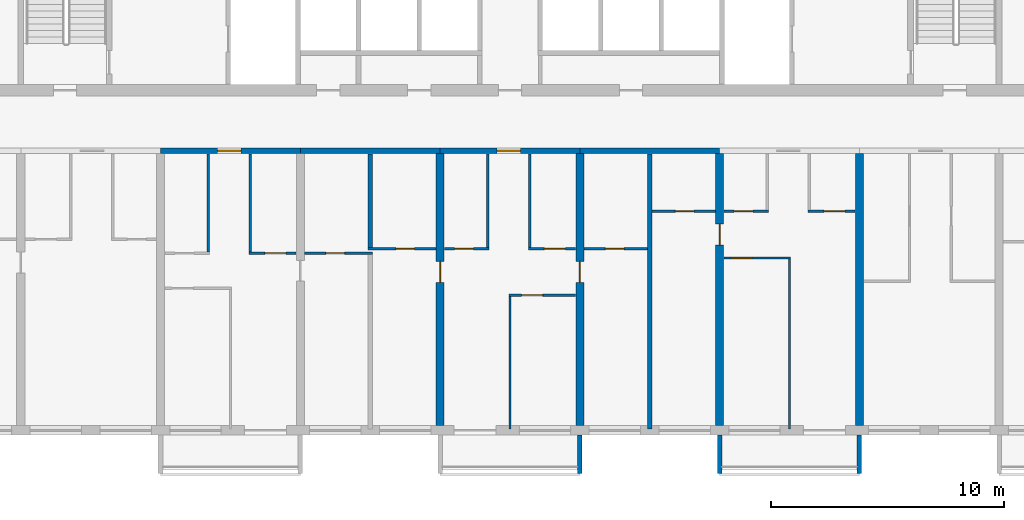
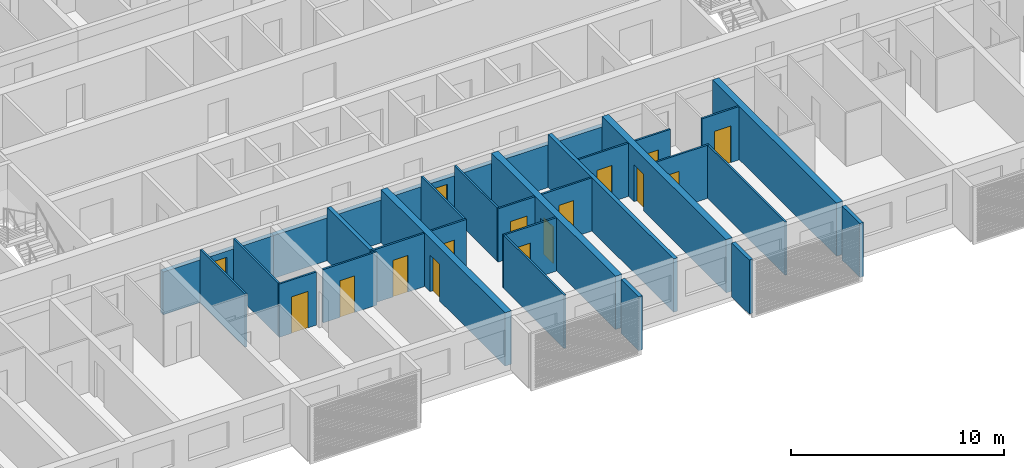
# One storey, part 5 of 27: 30 walls, 16 doors, 16 openings.
"""IFC4 building model written with IfcOpenShell, lengths in metres."""

from ifc_helpers import new_model, si_unit, direction, frame, frame_2d, origin, place, context, subcontext, project, spatial, polyline, rectangle, outline, extrude, source, transform, mapped, material, layer, layer_set, type_object, element, fill, save


model = new_model("IFC4")

# Units and contexts
model_context = context("Model", 3, precision=1e-05, world=origin(), true_north=direction((0.0, 1.0)))
body_context = subcontext(model_context, "Body", "Model", "MODEL_VIEW")
ifc_project = project(units=[si_unit("LENGTHUNIT", "METRE"), si_unit("AREAUNIT", "SQUARE_METRE"), si_unit("VOLUMEUNIT", "CUBIC_METRE"), si_unit("PLANEANGLEUNIT", "RADIAN"), si_unit("MASSUNIT", "GRAM", prefix="KILO")], contexts=[model_context])

# Site, building, storey
site_placement = place(None, origin())
site = spatial("IfcSite", under=ifc_project, at=site_placement, CompositionType="ELEMENT")
building_placement = place(site_placement, origin())
building = spatial("IfcBuilding", under=site, at=building_placement, Name="Poui Terraces", CompositionType="ELEMENT")
storey_placement = place(building_placement, frame((0.0, 0.0, 92.699951171875)))
storey = spatial("IfcBuildingStorey", under=building, at=storey_placement, Name="L25", CompositionType="ELEMENT", Elevation=92.699951171875)

# Wall, opening, door
ifc_material_1 = material(Name="Concrete 65 MPa", Category="concrete")
ifc_layer_1 = layer(ifc_material_1, 0.25)
ifc_layer_set_1 = layer_set([ifc_layer_1], Name="Concrete 65 MPa")
wall_type_1 = type_object("IfcWallType", Name="CORRIDOR WALL 250 65MPa", PredefinedType="SHEAR", material=ifc_layer_set_1)
wall_1_placement = place(storey_placement, frame((36.0, 12.0, 0.0), z_axis=(0.0, 0.0, 1.0), x_axis=(1.0, 0.0, 0.0)))
wall_1 = element("IfcWall", 1, at=wall_1_placement, inside=storey, type_object=wall_type_1, Name="CORRIDOR WALL LINE B BAY 6", PredefinedType="SHEAR", context=body_context, shape_type="SweptSolid", body=[
    extrude(rectangle(XDim=6.0, YDim=0.25, at=frame_2d((3.0, 0.0))), origin(), (0.0, 0.0, 1.0), 2.4599609375),
])
opening_1_placement = place(wall_1_placement, frame((2.449951171875, 0.0, 0.0)))
opening_1 = element("IfcOpeningElement", 2, at=opening_1_placement, cuts=wall_1, Name="Opening FD30S", PredefinedType="OPENING", context=body_context, shape_type="SweptSolid", body=[
    extrude(rectangle(XDim=1.0, YDim=2.10009765625, at=frame_2d((0.5, 1.050048828125))), frame((0.0, 0.135009765625, 0.0), z_axis=(0.0, -1.0, 0.0), x_axis=(1.0, 0.0, 0.0)), (0.0, 0.0, 1.0), 0.27001953125),
])
ifc_material_2 = material(Name="Steel fire door", Category="steel")
door_type_1 = type_object("IfcDoorType", Name="FLAT ENTRANCE DOOR 1000 X 2100", OperationType="NOTDEFINED", PredefinedType="DOOR", material=ifc_material_2)
door_1_placement = place(opening_1_placement, frame((1.0, 0.0, 0.0), z_axis=(0.0, 0.0, 1.0), x_axis=(-1.0, 0.0, 0.0)))
door_1 = element("IfcDoor", 3, at=door_1_placement, inside=storey, type_object=door_type_1, Name="FLAT ENTRANCE DOOR 101", OperationType="SINGLE_SWING_RIGHT", OverallHeight=2.10009765625, OverallWidth=1.0, PredefinedType="DOOR", context=body_context, shape_type="SweptSolid", body=[
    extrude(rectangle(XDim=1.0, YDim=2.10009765625, at=frame_2d((0.5, 1.050048828125))), frame((0.0, 0.02490234375, 0.0), z_axis=(0.0, -1.0, 0.0), x_axis=(1.0, 0.0, 0.0)), (0.0, 0.0, 1.0), 0.050048828125),
])
fill(opening_1, door_1)

# Wall
wall_2_placement = place(storey_placement, frame((42.0, 12.0, 0.0), z_axis=(0.0, 0.0, 1.0), x_axis=(1.0, 0.0, 0.0)))
element("IfcWall", 4, at=wall_2_placement, inside=storey, type_object=wall_type_1, Name="CORRIDOR WALL LINE B BAY 7", PredefinedType="SHEAR", context=body_context, shape_type="SweptSolid", body=[
    extrude(rectangle(XDim=6.0, YDim=0.25, at=frame_2d((3.0, 0.0))), origin(), (0.0, 0.0, 1.0), 2.4599609375),
])

# Wall, opening, door
wall_3_placement = place(storey_placement, frame((48.0, 12.0, 0.0), z_axis=(0.0, 0.0, 1.0), x_axis=(1.0, 0.0, 0.0)))
wall_3 = element("IfcWall", 5, at=wall_3_placement, inside=storey, type_object=wall_type_1, Name="CORRIDOR WALL LINE B BAY 8", PredefinedType="SHEAR", context=body_context, shape_type="SweptSolid", body=[
    extrude(rectangle(XDim=6.0, YDim=0.25, at=frame_2d((3.0, 0.0))), origin(), (0.0, 0.0, 1.0), 2.4599609375),
])
opening_2_placement = place(wall_3_placement, frame((2.449951171875, 0.0, 0.0)))
opening_2 = element("IfcOpeningElement", 6, at=opening_2_placement, cuts=wall_3, Name="Opening FD30S", PredefinedType="OPENING", context=body_context, shape_type="SweptSolid", body=[
    extrude(rectangle(XDim=1.0, YDim=2.10009765625, at=frame_2d((0.5, 1.050048828125))), frame((0.0, 0.135009765625, 0.0), z_axis=(0.0, -1.0, 0.0), x_axis=(1.0, 0.0, 0.0)), (0.0, 0.0, 1.0), 0.27001953125),
])
door_2_placement = place(opening_2_placement, frame((1.0, 0.0, 0.0), z_axis=(0.0, 0.0, 1.0), x_axis=(-1.0, 0.0, 0.0)))
door_2 = element("IfcDoor", 7, at=door_2_placement, inside=storey, type_object=door_type_1, Name="FLAT ENTRANCE DOOR 108", OperationType="SINGLE_SWING_RIGHT", OverallHeight=2.10009765625, OverallWidth=1.0, PredefinedType="DOOR", context=body_context, shape_type="SweptSolid", body=[
    extrude(rectangle(XDim=1.0, YDim=2.10009765625, at=frame_2d((0.5, 1.050048828125))), frame((0.0, 0.02490234375, 0.0), z_axis=(0.0, -1.0, 0.0), x_axis=(1.0, 0.0, 0.0)), (0.0, 0.0, 1.0), 0.050048828125),
])
fill(opening_2, door_2)

# Wall
wall_4_placement = place(storey_placement, frame((54.0, 12.0, 0.0), z_axis=(0.0, 0.0, 1.0), x_axis=(1.0, 0.0, 0.0)))
element("IfcWall", 8, at=wall_4_placement, inside=storey, type_object=wall_type_1, Name="CORRIDOR WALL LINE B BAY 9", PredefinedType="SHEAR", context=body_context, shape_type="SweptSolid", body=[
    extrude(rectangle(XDim=6.0, YDim=0.25, at=frame_2d((3.0, 0.0))), origin(), (0.0, 0.0, 1.0), 2.4599609375),
])

# Wall, opening, door
ifc_layer_2 = layer(ifc_material_1, 0.35009765625)
ifc_layer_set_2 = layer_set([ifc_layer_2], Name="Concrete 65 MPa")
wall_type_2 = type_object("IfcWallType", Name="CROSS WALL 350 65MPa", PredefinedType="SHEAR", material=ifc_layer_set_2)
wall_5_placement = place(storey_placement, frame((48.0, 0.199951171875, 0.0), z_axis=(0.0, 0.0, 1.0), x_axis=(0.0, 1.0, 0.0)))
wall_5 = element("IfcWall", 9, at=wall_5_placement, inside=storey, type_object=wall_type_2, Name="CROSS WALL LINE 9 SOUTH", PredefinedType="SHEAR", context=body_context, shape_type="SweptSolid", body=[
    extrude(rectangle(XDim=11.675048828125, YDim=0.35009765625, at=frame_2d((5.83740234375, 0.0))), origin(), (0.0, 0.0, 1.0), 3.06005859375),
])
opening_3_placement = place(wall_5_placement, frame((6.14990234375, 0.0, 0.0)))
opening_3 = element("IfcOpeningElement", 10, at=opening_3_placement, cuts=wall_5, Name="Opening D90", PredefinedType="OPENING", context=body_context, shape_type="SweptSolid", body=[
    extrude(rectangle(XDim=0.89990234375, YDim=2.10009765625, at=frame_2d((0.449951171875, 1.050048828125))), frame((0.0, 0.18505859375, 0.0), z_axis=(0.0, -1.0, 0.0), x_axis=(1.0, 0.0, 0.0)), (0.0, 0.0, 1.0), 0.3701171875),
])
ifc_material_3 = material(Name="Solid core timber door", Category="wood")
door_type_2 = type_object("IfcDoorType", Name="INTERNAL DOOR 900 X 2100", OperationType="NOTDEFINED", PredefinedType="DOOR", material=ifc_material_3)
door_3_placement = place(opening_3_placement, origin())
door_3 = element("IfcDoor", 11, at=door_3_placement, inside=storey, type_object=door_type_2, Name="INTERNAL DOOR 106", OperationType="SINGLE_SWING_RIGHT", OverallHeight=2.10009765625, OverallWidth=0.89990234375, PredefinedType="DOOR", context=body_context, shape_type="SweptSolid", body=[
    extrude(rectangle(XDim=0.89990234375, YDim=2.10009765625, at=frame_2d((0.449951171875, 1.050048828125))), frame((0.0, 0.02490234375, 0.0), z_axis=(0.0, -1.0, 0.0), x_axis=(1.0, 0.0, 0.0)), (0.0, 0.0, 1.0), 0.050048828125),
])
fill(opening_3, door_3)

wall_6_placement = place(storey_placement, frame((54.0, 0.199951171875, 0.0), z_axis=(0.0, 0.0, 1.0), x_axis=(0.0, 1.0, 0.0)))
wall_6 = element("IfcWall", 12, at=wall_6_placement, inside=storey, type_object=wall_type_2, Name="CROSS WALL LINE 10 SOUTH", PredefinedType="SHEAR", context=body_context, shape_type="SweptSolid", body=[
    extrude(rectangle(XDim=11.675048828125, YDim=0.35009765625, at=frame_2d((5.83740234375, 0.0))), origin(), (0.0, 0.0, 1.0), 3.06005859375),
])
opening_4_placement = place(wall_6_placement, frame((6.14990234375, 0.0, 0.0)))
opening_4 = element("IfcOpeningElement", 13, at=opening_4_placement, cuts=wall_6, Name="Opening D90", PredefinedType="OPENING", context=body_context, shape_type="SweptSolid", body=[
    extrude(rectangle(XDim=0.89990234375, YDim=2.10009765625, at=frame_2d((0.449951171875, 1.050048828125))), frame((0.0, 0.18505859375, 0.0), z_axis=(0.0, -1.0, 0.0), x_axis=(1.0, 0.0, 0.0)), (0.0, 0.0, 1.0), 0.3701171875),
])
door_4_placement = place(opening_4_placement, frame((0.89990234375, 0.0, 0.0), z_axis=(0.0, 0.0, 1.0), x_axis=(-1.0, 0.0, 0.0)))
door_4 = element("IfcDoor", 14, at=door_4_placement, inside=storey, type_object=door_type_2, Name="INTERNAL DOOR 111", OperationType="SINGLE_SWING_LEFT", OverallHeight=2.10009765625, OverallWidth=0.89990234375, PredefinedType="DOOR", context=body_context, shape_type="SweptSolid", body=[
    extrude(rectangle(XDim=0.89990234375, YDim=2.10009765625, at=frame_2d((0.449951171875, 1.050048828125))), frame((0.0, 0.02490234375, 0.0), z_axis=(0.0, -1.0, 0.0), x_axis=(1.0, 0.0, 0.0)), (0.0, 0.0, 1.0), 0.050048828125),
])
fill(opening_4, door_4)

wall_7_placement = place(storey_placement, frame((60.0, 0.199951171875, 0.0), z_axis=(0.0, 0.0, 1.0), x_axis=(0.0, 1.0, 0.0)))
wall_7 = element("IfcWall", 15, at=wall_7_placement, inside=storey, type_object=wall_type_2, Name="CROSS WALL LINE 11 SOUTH", PredefinedType="SHEAR", context=body_context, shape_type="SweptSolid", body=[
    extrude(rectangle(XDim=11.675048828125, YDim=0.35009765625, at=frame_2d((5.83740234375, 0.0))), origin(), (0.0, 0.0, 1.0), 3.06005859375),
])
opening_5_placement = place(wall_7_placement, frame((7.75, 0.0, 0.0)))
opening_5 = element("IfcOpeningElement", 16, at=opening_5_placement, cuts=wall_7, Name="Opening D90", PredefinedType="OPENING", context=body_context, shape_type="SweptSolid", body=[
    extrude(rectangle(XDim=0.89990234375, YDim=2.10009765625, at=frame_2d((0.449951171875, 1.050048828125))), frame((0.0, 0.18505859375, 0.0), z_axis=(0.0, -1.0, 0.0), x_axis=(1.0, 0.0, 0.0)), (0.0, 0.0, 1.0), 0.3701171875),
])
door_5_placement = place(opening_5_placement, origin())
door_5 = element("IfcDoor", 17, at=door_5_placement, inside=storey, type_object=door_type_2, Name="INTERNAL DOOR 113", OperationType="SINGLE_SWING_RIGHT", OverallHeight=2.10009765625, OverallWidth=0.89990234375, PredefinedType="DOOR", context=body_context, shape_type="SweptSolid", body=[
    extrude(rectangle(XDim=0.89990234375, YDim=2.10009765625, at=frame_2d((0.449951171875, 1.050048828125))), frame((0.0, 0.02490234375, 0.0), z_axis=(0.0, -1.0, 0.0), x_axis=(1.0, 0.0, 0.0)), (0.0, 0.0, 1.0), 0.050048828125),
])
fill(opening_5, door_5)

# Wall
wall_8_placement = place(storey_placement, frame((66.0, 0.199951171875, 0.0), z_axis=(0.0, 0.0, 1.0), x_axis=(0.0, 1.0, 0.0)))
element("IfcWall", 18, at=wall_8_placement, inside=storey, type_object=wall_type_2, Name="CROSS WALL LINE 12 SOUTH", PredefinedType="SHEAR", context=body_context, shape_type="SweptSolid", body=[
    extrude(rectangle(XDim=11.675048828125, YDim=0.35009765625, at=frame_2d((5.83740234375, 0.0))), origin(), (0.0, 0.0, 1.0), 3.06005859375),
])

# Wall, opening, door
ifc_material_4 = material(Name="Plasterboard partition")
ifc_layer_3 = layer(ifc_material_4, 0.10009765625)
ifc_layer_set_3 = layer_set([ifc_layer_3], Name="Plasterboard partition")
wall_type_3 = type_object("IfcWallType", Name="FLAT PARTITION 100", PredefinedType="PARTITIONING", material=ifc_layer_set_3)
wall_9_placement = place(storey_placement, frame((50.949951171875, 5.800048828125, 0.0), z_axis=(0.0, 0.0, 1.0), x_axis=(1.0, 0.0, 0.0)))
wall_9 = element("IfcWall", 19, at=wall_9_placement, inside=storey, type_object=wall_type_3, Name="FLAT PARTITION 100", PredefinedType="PARTITIONING", context=body_context, shape_type="SweptSolid", body=[
    extrude(rectangle(XDim=2.864990234375, YDim=0.10009765625, at=frame_2d((1.4326171875, 0.0))), origin(), (0.0, 0.0, 1.0), 3.06005859375),
])
opening_6_placement = place(wall_9_placement, frame((0.550048828125, 0.0, 0.0)))
opening_6 = element("IfcOpeningElement", 20, at=opening_6_placement, cuts=wall_9, Name="Opening D90", PredefinedType="OPENING", context=body_context, shape_type="SweptSolid", body=[
    extrude(rectangle(XDim=0.89990234375, YDim=2.10009765625, at=frame_2d((0.449951171875, 1.050048828125))), frame((0.0, 0.06005859375, 0.0), z_axis=(0.0, -1.0, 0.0), x_axis=(1.0, 0.0, 0.0)), (0.0, 0.0, 1.0), 0.1201171875),
])
door_6_placement = place(opening_6_placement, origin())
door_6 = element("IfcDoor", 21, at=door_6_placement, inside=storey, type_object=door_type_2, Name="INTERNAL DOOR 109", OperationType="SINGLE_SWING_RIGHT", OverallHeight=2.10009765625, OverallWidth=0.89990234375, PredefinedType="DOOR", context=body_context, shape_type="SweptSolid", body=[
    extrude(rectangle(XDim=0.89990234375, YDim=2.10009765625, at=frame_2d((0.449951171875, 1.050048828125))), frame((0.0, 0.02490234375, 0.0), z_axis=(0.0, -1.0, 0.0), x_axis=(1.0, 0.0, 0.0)), (0.0, 0.0, 1.0), 0.050048828125),
])
fill(opening_6, door_6)

wall_10_placement = place(storey_placement, frame((60.18505859375, 7.39990234375, 0.0), z_axis=(0.0, 0.0, 1.0), x_axis=(1.0, 0.0, 0.0)))
wall_10 = element("IfcWall", 22, at=wall_10_placement, inside=storey, type_object=wall_type_3, Name="FLAT PARTITION 100", PredefinedType="PARTITIONING", context=body_context, shape_type="SweptSolid", body=[
    extrude(rectangle(XDim=2.864990234375, YDim=0.10009765625, at=frame_2d((1.4326171875, 0.0))), origin(), (0.0, 0.0, 1.0), 3.06005859375),
])
opening_7_placement = place(wall_10_placement, frame((0.31494140625, 0.0, 0.0)))
opening_7 = element("IfcOpeningElement", 23, at=opening_7_placement, cuts=wall_10, Name="Opening D90", PredefinedType="OPENING", context=body_context, shape_type="SweptSolid", body=[
    extrude(rectangle(XDim=0.89990234375, YDim=2.10009765625, at=frame_2d((0.449951171875, 1.050048828125))), frame((0.0, 0.06005859375, 0.0), z_axis=(0.0, -1.0, 0.0), x_axis=(1.0, 0.0, 0.0)), (0.0, 0.0, 1.0), 0.1201171875),
])
door_7_placement = place(opening_7_placement, origin())
door_7 = element("IfcDoor", 24, at=door_7_placement, inside=storey, type_object=door_type_2, Name="INTERNAL DOOR 114", OperationType="SINGLE_SWING_RIGHT", OverallHeight=2.10009765625, OverallWidth=0.89990234375, PredefinedType="DOOR", context=body_context, shape_type="SweptSolid", body=[
    extrude(rectangle(XDim=0.89990234375, YDim=2.10009765625, at=frame_2d((0.449951171875, 1.050048828125))), frame((0.0, 0.02490234375, 0.0), z_axis=(0.0, -1.0, 0.0), x_axis=(1.0, 0.0, 0.0)), (0.0, 0.0, 1.0), 0.050048828125),
])
fill(opening_7, door_7)

wall_11_placement = place(storey_placement, frame((39.800048828125, 7.60009765625, 0.0), z_axis=(0.0, 0.0, 1.0), x_axis=(1.0, 0.0, 0.0)))
wall_11 = element("IfcWall", 25, at=wall_11_placement, inside=storey, type_object=wall_type_3, Name="FLAT PARTITION 100", PredefinedType="PARTITIONING", context=body_context, shape_type="SweptSolid", body=[
    extrude(rectangle(XDim=2.014892578125, YDim=0.10009765625, at=frame_2d((1.00732421875, 0.0))), origin(), (0.0, 0.0, 1.0), 3.06005859375),
])
opening_8_placement = place(wall_11_placement, frame((0.675048828125, 0.0, 0.0)))
opening_8 = element("IfcOpeningElement", 26, at=opening_8_placement, cuts=wall_11, Name="Opening D90", PredefinedType="OPENING", context=body_context, shape_type="SweptSolid", body=[
    extrude(rectangle(XDim=0.89990234375, YDim=2.10009765625, at=frame_2d((0.449951171875, 1.050048828125))), frame((0.0, 0.06005859375, 0.0), z_axis=(0.0, -1.0, 0.0), x_axis=(1.0, 0.0, 0.0)), (0.0, 0.0, 1.0), 0.1201171875),
])
door_8_placement = place(opening_8_placement, origin())
door_8 = element("IfcDoor", 27, at=door_8_placement, inside=storey, type_object=door_type_2, Name="INTERNAL DOOR 102", OperationType="SINGLE_SWING_RIGHT", OverallHeight=2.10009765625, OverallWidth=0.89990234375, PredefinedType="DOOR", context=body_context, shape_type="SweptSolid", body=[
    extrude(rectangle(XDim=0.89990234375, YDim=2.10009765625, at=frame_2d((0.449951171875, 1.050048828125))), frame((0.0, 0.02490234375, 0.0), z_axis=(0.0, -1.0, 0.0), x_axis=(1.0, 0.0, 0.0)), (0.0, 0.0, 1.0), 0.050048828125),
])
fill(opening_8, door_8)

wall_12_placement = place(storey_placement, frame((42.18505859375, 7.60009765625, 0.0), z_axis=(0.0, 0.0, 1.0), x_axis=(1.0, 0.0, 0.0)))
wall_12 = element("IfcWall", 28, at=wall_12_placement, inside=storey, type_object=wall_type_3, Name="FLAT PARTITION 100", PredefinedType="PARTITIONING", context=body_context, shape_type="SweptSolid", body=[
    extrude(rectangle(XDim=2.9150390625, YDim=0.10009765625, at=frame_2d((1.45751953125, 0.0))), origin(), (0.0, 0.0, 1.0), 3.06005859375),
])
opening_9_placement = place(wall_12_placement, frame((0.9150390625, 0.0, 0.0)))
opening_9 = element("IfcOpeningElement", 29, at=opening_9_placement, cuts=wall_12, Name="Opening D80", PredefinedType="OPENING", context=body_context, shape_type="SweptSolid", body=[
    extrude(rectangle(XDim=0.800048828125, YDim=2.10009765625, at=frame_2d((0.39990234375, 1.050048828125))), frame((0.0, 0.06005859375, 0.0), z_axis=(0.0, -1.0, 0.0), x_axis=(1.0, 0.0, 0.0)), (0.0, 0.0, 1.0), 0.1201171875),
])
door_type_3 = type_object("IfcDoorType", Name="BATHROOM, LAUNDRY AND STORE DOOR 800 X 2100", OperationType="NOTDEFINED", PredefinedType="DOOR", material=ifc_material_3)
door_9_placement = place(opening_9_placement, origin())
door_9 = element("IfcDoor", 30, at=door_9_placement, inside=storey, type_object=door_type_3, Name="BATHROOM, LAUNDRY AND STORE DOOR 098", OperationType="SINGLE_SWING_LEFT", OverallHeight=2.10009765625, OverallWidth=0.800048828125, PredefinedType="DOOR", context=body_context, shape_type="SweptSolid", body=[
    extrude(rectangle(XDim=0.800048828125, YDim=2.10009765625, at=frame_2d((0.39990234375, 1.050048828125))), frame((0.0, 0.02490234375, 0.0), z_axis=(0.0, -1.0, 0.0), x_axis=(1.0, 0.0, 0.0)), (0.0, 0.0, 1.0), 0.050048828125),
])
fill(opening_9, door_9)

wall_13_placement = place(storey_placement, frame((44.89990234375, 7.800048828125, 0.0), z_axis=(0.0, 0.0, 1.0), x_axis=(1.0, 0.0, 0.0)))
wall_13 = element("IfcWall", 31, at=wall_13_placement, inside=storey, type_object=wall_type_3, Name="FLAT PARTITION 100", PredefinedType="PARTITIONING", context=body_context, shape_type="SweptSolid", body=[
    extrude(rectangle(XDim=2.9150390625, YDim=0.10009765625, at=frame_2d((1.45751953125, 0.0))), origin(), (0.0, 0.0, 1.0), 3.06005859375),
])
opening_10_placement = place(wall_13_placement, frame((1.199951171875, 0.0, 0.0)))
opening_10 = element("IfcOpeningElement", 32, at=opening_10_placement, cuts=wall_13, Name="Opening D80", PredefinedType="OPENING", context=body_context, shape_type="SweptSolid", body=[
    extrude(rectangle(XDim=0.800048828125, YDim=2.10009765625, at=frame_2d((0.39990234375, 1.050048828125))), frame((0.0, 0.06005859375, 0.0), z_axis=(0.0, -1.0, 0.0), x_axis=(1.0, 0.0, 0.0)), (0.0, 0.0, 1.0), 0.1201171875),
])
door_10_placement = place(opening_10_placement, origin())
door_10 = element("IfcDoor", 33, at=door_10_placement, inside=storey, type_object=door_type_3, Name="BATHROOM, LAUNDRY AND STORE DOOR 104", OperationType="SINGLE_SWING_RIGHT", OverallHeight=2.10009765625, OverallWidth=0.800048828125, PredefinedType="DOOR", context=body_context, shape_type="SweptSolid", body=[
    extrude(rectangle(XDim=0.800048828125, YDim=2.10009765625, at=frame_2d((0.39990234375, 1.050048828125))), frame((0.0, 0.02490234375, 0.0), z_axis=(0.0, -1.0, 0.0), x_axis=(1.0, 0.0, 0.0)), (0.0, 0.0, 1.0), 0.050048828125),
])
fill(opening_10, door_10)

wall_14_placement = place(storey_placement, frame((48.18505859375, 7.800048828125, 0.0), z_axis=(0.0, 0.0, 1.0), x_axis=(1.0, 0.0, 0.0)))
wall_14 = element("IfcWall", 34, at=wall_14_placement, inside=storey, type_object=wall_type_3, Name="FLAT PARTITION 100", PredefinedType="PARTITIONING", context=body_context, shape_type="SweptSolid", body=[
    extrude(rectangle(XDim=1.9150390625, YDim=0.10009765625, at=frame_2d((0.95751953125, 0.0))), origin(), (0.0, 0.0, 1.0), 3.06005859375),
])
opening_11_placement = place(wall_14_placement, frame((0.43994140625, 0.0, 0.0)))
opening_11 = element("IfcOpeningElement", 35, at=opening_11_placement, cuts=wall_14, Name="Opening D80", PredefinedType="OPENING", context=body_context, shape_type="SweptSolid", body=[
    extrude(rectangle(XDim=0.800048828125, YDim=2.10009765625, at=frame_2d((0.39990234375, 1.050048828125))), frame((0.0, 0.06005859375, 0.0), z_axis=(0.0, -1.0, 0.0), x_axis=(1.0, 0.0, 0.0)), (0.0, 0.0, 1.0), 0.1201171875),
])
door_11_placement = place(opening_11_placement, origin())
door_11 = element("IfcDoor", 36, at=door_11_placement, inside=storey, type_object=door_type_3, Name="BATHROOM, LAUNDRY AND STORE DOOR 107", OperationType="SINGLE_SWING_RIGHT", OverallHeight=2.10009765625, OverallWidth=0.800048828125, PredefinedType="DOOR", context=body_context, shape_type="SweptSolid", body=[
    extrude(rectangle(XDim=0.800048828125, YDim=2.10009765625, at=frame_2d((0.39990234375, 1.050048828125))), frame((0.0, 0.02490234375, 0.0), z_axis=(0.0, -1.0, 0.0), x_axis=(1.0, 0.0, 0.0)), (0.0, 0.0, 1.0), 0.050048828125),
])
fill(opening_11, door_11)

wall_15_placement = place(storey_placement, frame((51.800048828125, 7.800048828125, 0.0), z_axis=(0.0, 0.0, 1.0), x_axis=(1.0, 0.0, 0.0)))
wall_15 = element("IfcWall", 37, at=wall_15_placement, inside=storey, type_object=wall_type_3, Name="FLAT PARTITION 100", PredefinedType="PARTITIONING", context=body_context, shape_type="SweptSolid", body=[
    extrude(rectangle(XDim=2.014892578125, YDim=0.10009765625, at=frame_2d((1.00732421875, 0.0))), origin(), (0.0, 0.0, 1.0), 3.06005859375),
])
opening_12_placement = place(wall_15_placement, frame((0.675048828125, 0.0, 0.0)))
opening_12 = element("IfcOpeningElement", 38, at=opening_12_placement, cuts=wall_15, Name="Opening D90", PredefinedType="OPENING", context=body_context, shape_type="SweptSolid", body=[
    extrude(rectangle(XDim=0.89990234375, YDim=2.10009765625, at=frame_2d((0.449951171875, 1.050048828125))), frame((0.0, 0.06005859375, 0.0), z_axis=(0.0, -1.0, 0.0), x_axis=(1.0, 0.0, 0.0)), (0.0, 0.0, 1.0), 0.1201171875),
])
door_12_placement = place(opening_12_placement, origin())
door_12 = element("IfcDoor", 39, at=door_12_placement, inside=storey, type_object=door_type_2, Name="INTERNAL DOOR 110", OperationType="SINGLE_SWING_LEFT", OverallHeight=2.10009765625, OverallWidth=0.89990234375, PredefinedType="DOOR", context=body_context, shape_type="SweptSolid", body=[
    extrude(rectangle(XDim=0.89990234375, YDim=2.10009765625, at=frame_2d((0.449951171875, 1.050048828125))), frame((0.0, 0.02490234375, 0.0), z_axis=(0.0, -1.0, 0.0), x_axis=(1.0, 0.0, 0.0)), (0.0, 0.0, 1.0), 0.050048828125),
])
fill(opening_12, door_12)

wall_16_placement = place(storey_placement, frame((54.18505859375, 7.800048828125, 0.0), z_axis=(0.0, 0.0, 1.0), x_axis=(1.0, 0.0, 0.0)))
wall_16 = element("IfcWall", 40, at=wall_16_placement, inside=storey, type_object=wall_type_3, Name="FLAT PARTITION 100", PredefinedType="PARTITIONING", context=body_context, shape_type="SweptSolid", body=[
    extrude(rectangle(XDim=2.71484375, YDim=0.10009765625, at=frame_2d((1.357421875, 0.0))), origin(), (0.0, 0.0, 1.0), 3.06005859375),
])
opening_13_placement = place(wall_16_placement, frame((0.9150390625, 0.0, 0.0)))
opening_13 = element("IfcOpeningElement", 41, at=opening_13_placement, cuts=wall_16, Name="Opening D80", PredefinedType="OPENING", context=body_context, shape_type="SweptSolid", body=[
    extrude(rectangle(XDim=0.800048828125, YDim=2.10009765625, at=frame_2d((0.39990234375, 1.050048828125))), frame((0.0, 0.06005859375, 0.0), z_axis=(0.0, -1.0, 0.0), x_axis=(1.0, 0.0, 0.0)), (0.0, 0.0, 1.0), 0.1201171875),
])
door_13_placement = place(opening_13_placement, origin())
door_13 = element("IfcDoor", 42, at=door_13_placement, inside=storey, type_object=door_type_3, Name="BATHROOM, LAUNDRY AND STORE DOOR 105", OperationType="SINGLE_SWING_RIGHT", OverallHeight=2.10009765625, OverallWidth=0.800048828125, PredefinedType="DOOR", context=body_context, shape_type="SweptSolid", body=[
    extrude(rectangle(XDim=0.800048828125, YDim=2.10009765625, at=frame_2d((0.39990234375, 1.050048828125))), frame((0.0, 0.02490234375, 0.0), z_axis=(0.0, -1.0, 0.0), x_axis=(1.0, 0.0, 0.0)), (0.0, 0.0, 1.0), 0.050048828125),
])
fill(opening_13, door_13)

wall_17_placement = place(storey_placement, frame((57.10009765625, 9.39990234375, 0.0), z_axis=(0.0, 0.0, 1.0), x_axis=(1.0, 0.0, 0.0)))
wall_17 = element("IfcWall", 43, at=wall_17_placement, inside=storey, type_object=wall_type_3, Name="FLAT PARTITION 100", PredefinedType="PARTITIONING", context=body_context, shape_type="SweptSolid", body=[
    extrude(rectangle(XDim=2.71484375, YDim=0.10009765625, at=frame_2d((1.357421875, 0.0))), origin(), (0.0, 0.0, 1.0), 3.06005859375),
])
opening_14_placement = place(wall_17_placement, frame((1.0, 0.0, 0.0)))
opening_14 = element("IfcOpeningElement", 44, at=opening_14_placement, cuts=wall_17, Name="Opening D80", PredefinedType="OPENING", context=body_context, shape_type="SweptSolid", body=[
    extrude(rectangle(XDim=0.800048828125, YDim=2.10009765625, at=frame_2d((0.39990234375, 1.050048828125))), frame((0.0, 0.06005859375, 0.0), z_axis=(0.0, -1.0, 0.0), x_axis=(1.0, 0.0, 0.0)), (0.0, 0.0, 1.0), 0.1201171875),
])
door_14_placement = place(opening_14_placement, origin())
door_14 = element("IfcDoor", 45, at=door_14_placement, inside=storey, type_object=door_type_3, Name="BATHROOM, LAUNDRY AND STORE DOOR 112", OperationType="SINGLE_SWING_LEFT", OverallHeight=2.10009765625, OverallWidth=0.800048828125, PredefinedType="DOOR", context=body_context, shape_type="SweptSolid", body=[
    extrude(rectangle(XDim=0.800048828125, YDim=2.10009765625, at=frame_2d((0.39990234375, 1.050048828125))), frame((0.0, 0.02490234375, 0.0), z_axis=(0.0, -1.0, 0.0), x_axis=(1.0, 0.0, 0.0)), (0.0, 0.0, 1.0), 0.050048828125),
])
fill(opening_14, door_14)

wall_18_placement = place(storey_placement, frame((60.18505859375, 9.39990234375, 0.0), z_axis=(0.0, 0.0, 1.0), x_axis=(1.0, 0.0, 0.0)))
wall_18 = element("IfcWall", 46, at=wall_18_placement, inside=storey, type_object=wall_type_3, Name="FLAT PARTITION 100", PredefinedType="PARTITIONING", context=body_context, shape_type="SweptSolid", body=[
    extrude(rectangle(XDim=1.9150390625, YDim=0.10009765625, at=frame_2d((0.95751953125, 0.0))), origin(), (0.0, 0.0, 1.0), 3.06005859375),
])
opening_15_placement = place(wall_18_placement, frame((0.43994140625, 0.0, 0.0)))
opening_15 = element("IfcOpeningElement", 47, at=opening_15_placement, cuts=wall_18, Name="Opening D80", PredefinedType="OPENING", context=body_context, shape_type="SweptSolid", body=[
    extrude(rectangle(XDim=0.800048828125, YDim=2.10009765625, at=frame_2d((0.39990234375, 1.050048828125))), frame((0.0, 0.06005859375, 0.0), z_axis=(0.0, -1.0, 0.0), x_axis=(1.0, 0.0, 0.0)), (0.0, 0.0, 1.0), 0.1201171875),
])
door_15_placement = place(opening_15_placement, origin())
door_15 = element("IfcDoor", 48, at=door_15_placement, inside=storey, type_object=door_type_3, Name="BATHROOM, LAUNDRY AND STORE DOOR 115", OperationType="SINGLE_SWING_LEFT", OverallHeight=2.10009765625, OverallWidth=0.800048828125, PredefinedType="DOOR", context=body_context, shape_type="SweptSolid", body=[
    extrude(rectangle(XDim=0.800048828125, YDim=2.10009765625, at=frame_2d((0.39990234375, 1.050048828125))), frame((0.0, 0.02490234375, 0.0), z_axis=(0.0, -1.0, 0.0), x_axis=(1.0, 0.0, 0.0)), (0.0, 0.0, 1.0), 0.050048828125),
])
fill(opening_15, door_15)

wall_19_placement = place(storey_placement, frame((63.800048828125, 9.39990234375, 0.0), z_axis=(0.0, 0.0, 1.0), x_axis=(1.0, 0.0, 0.0)))
wall_19 = element("IfcWall", 49, at=wall_19_placement, inside=storey, type_object=wall_type_3, Name="FLAT PARTITION 100", PredefinedType="PARTITIONING", context=body_context, shape_type="SweptSolid", body=[
    extrude(rectangle(XDim=2.014892578125, YDim=0.10009765625, at=frame_2d((1.00732421875, 0.0))), origin(), (0.0, 0.0, 1.0), 3.06005859375),
])
opening_16_placement = place(wall_19_placement, frame((0.675048828125, 0.0, 0.0)))
opening_16 = element("IfcOpeningElement", 50, at=opening_16_placement, cuts=wall_19, Name="Opening D90", PredefinedType="OPENING", context=body_context, shape_type="SweptSolid", body=[
    extrude(rectangle(XDim=0.89990234375, YDim=2.10009765625, at=frame_2d((0.449951171875, 1.050048828125))), frame((0.0, 0.06005859375, 0.0), z_axis=(0.0, -1.0, 0.0), x_axis=(1.0, 0.0, 0.0)), (0.0, 0.0, 1.0), 0.1201171875),
])
door_16_placement = place(opening_16_placement, origin())
door_16 = element("IfcDoor", 51, at=door_16_placement, inside=storey, type_object=door_type_2, Name="INTERNAL DOOR 117", OperationType="SINGLE_SWING_RIGHT", OverallHeight=2.10009765625, OverallWidth=0.89990234375, PredefinedType="DOOR", context=body_context, shape_type="SweptSolid", body=[
    extrude(rectangle(XDim=0.89990234375, YDim=2.10009765625, at=frame_2d((0.449951171875, 1.050048828125))), frame((0.0, 0.02490234375, 0.0), z_axis=(0.0, -1.0, 0.0), x_axis=(1.0, 0.0, 0.0)), (0.0, 0.0, 1.0), 0.050048828125),
])
fill(opening_16, door_16)

# Walls
for number, where, z_axis, x_axis, name in (
    (52, (38.050048828125, 7.64990234375, 0.0), (0.0, 0.0, 1.0), (0.0, 1.0, 0.0), "FLAT PARTITION 100"),
    (53, (39.85009765625, 7.64990234375, 0.0), (0.0, 0.0, 1.0), (0.0, 1.0, 0.0), "FLAT PARTITION 100"),
):
    element("IfcWall", number, at=place(storey_placement, frame(where, z_axis=z_axis, x_axis=x_axis)), inside=storey, type_object=wall_type_3, Name=name, PredefinedType="PARTITIONING", context=body_context, shape_type="SweptSolid", body=[
        extrude(rectangle(XDim=4.215087890625, YDim=0.10009765625, at=frame_2d((2.107421875, 0.0))), origin(), (0.0, 0.0, 1.0), 3.06005859375),
    ])
wall_20_placement = place(storey_placement, frame((50.050048828125, 7.85009765625, 0.0), z_axis=(0.0, 0.0, 1.0), x_axis=(0.0, 1.0, 0.0)))
element("IfcWall", 54, at=wall_20_placement, inside=storey, type_object=wall_type_3, Name="FLAT PARTITION 100", PredefinedType="PARTITIONING", context=body_context, shape_type="SweptSolid", body=[
    extrude(rectangle(XDim=4.014892578125, YDim=0.10009765625, at=frame_2d((2.00732421875, 0.0))), origin(), (0.0, 0.0, 1.0), 3.06005859375),
])
wall_21_placement = place(storey_placement, frame((51.0, 0.06005859375, 0.0), z_axis=(0.0, 0.0, 1.0), x_axis=(0.0, 1.0, 0.0)))
element("IfcWall", 55, at=wall_21_placement, inside=storey, type_object=wall_type_3, Name="FLAT PARTITION 100", PredefinedType="PARTITIONING", context=body_context, shape_type="SweptSolid", body=[
    extrude(rectangle(XDim=5.68994140625, YDim=0.10009765625, at=frame_2d((2.844970703125, 0.0))), origin(), (0.0, 0.0, 1.0), 3.06005859375),
])
wall_22_placement = place(storey_placement, frame((51.85009765625, 7.85009765625, 0.0), z_axis=(0.0, 0.0, 1.0), x_axis=(0.0, 1.0, 0.0)))
element("IfcWall", 56, at=wall_22_placement, inside=storey, type_object=wall_type_3, Name="FLAT PARTITION 100", PredefinedType="PARTITIONING", context=body_context, shape_type="SweptSolid", body=[
    extrude(rectangle(XDim=4.014892578125, YDim=0.10009765625, at=frame_2d((2.00732421875, 0.0))), origin(), (0.0, 0.0, 1.0), 3.06005859375),
])
wall_23_placement = place(storey_placement, frame((63.0, 0.06005859375, 0.0), z_axis=(0.0, 0.0, 1.0), x_axis=(0.0, 1.0, 0.0)))
element("IfcWall", 57, at=wall_23_placement, inside=storey, type_object=wall_type_3, Name="FLAT PARTITION 100", PredefinedType="PARTITIONING", context=body_context, shape_type="SweptSolid", body=[
    extrude(rectangle(XDim=7.2900390625, YDim=0.10009765625, at=frame_2d((3.64501953125, 0.0))), origin(), (0.0, 0.0, 1.0), 3.06005859375),
])
ifc_material_5 = material(Name="Fire-rated masonry wall", Category="masonry")
ifc_layer_4 = layer(ifc_material_5, 0.199951171875)
ifc_layer_set_4 = layer_set([ifc_layer_4], Name="Fire-rated masonry wall")
wall_type_4 = type_object("IfcWallType", Name="FLAT PARTY WALL 200", PredefinedType="PARTITIONING", material=ifc_layer_set_4)
wall_24_placement = place(storey_placement, frame((45.0, 7.85009765625, 0.0), z_axis=(0.0, 0.0, 1.0), x_axis=(0.0, 1.0, 0.0)))
element("IfcWall", 58, at=wall_24_placement, inside=storey, type_object=wall_type_4, Name="FLAT PARTY WALL 200", PredefinedType="PARTITIONING", context=body_context, shape_type="SweptSolid", body=[
    extrude(rectangle(XDim=4.014892578125, YDim=0.199951171875, at=frame_2d((2.00732421875, 0.0))), origin(), (0.0, 0.0, 1.0), 3.06005859375),
])
wall_25_placement = place(storey_placement, frame((57.0, 0.06005859375, 0.0), z_axis=(0.0, 0.0, 1.0), x_axis=(0.0, 1.0, 0.0)))
element("IfcWall", 59, at=wall_25_placement, inside=storey, type_object=wall_type_4, Name="FLAT PARTY WALL 200", PredefinedType="PARTITIONING", context=body_context, shape_type="SweptSolid", body=[
    extrude(rectangle(XDim=11.804931640625, YDim=0.199951171875, at=frame_2d((5.90234375, 0.0))), origin(), (0.0, 0.0, 1.0), 3.06005859375),
])
ifc_material_6 = material(Name="Precast concrete 40 MPa", Category="concrete")
ifc_layer_5 = layer(ifc_material_6, 0.199951171875)
ifc_layer_set_5 = layer_set([ifc_layer_5], Name="Precast concrete 40 MPa")
wall_type_5 = type_object("IfcWallType", Name="REAR FIN 200", PredefinedType="STANDARD", material=ifc_layer_set_5)
shared_shape = source(origin(), body_context, "Body", "SweptSolid", [
    extrude(outline(polyline([(0.0, 0.0), (0.2001953125, 0.0), (0.2001953125, 1.650146484375), (0.0, 1.650146484375), (0.0, 0.0)])), origin(), (0.0, 0.0, 1.0), 3.10009765625),
])
for number, where, name in (
    (60, (53.89990234375, -1.85009765625, 0.0), "REAR FIN"),
    (61, (59.89990234375, -1.85009765625, 0.0), "REAR FIN"),
    (62, (65.89990234375, -1.85009765625, 0.0), "REAR FIN"),
):
    element("IfcWall", number, at=place(storey_placement, frame(where)), inside=storey, type_object=wall_type_5, Name=name, PredefinedType="STANDARD", context=body_context, shape_type="MappedRepresentation", body=[
        mapped(shared_shape, transform((0.0, 0.0, 0.0))),
    ])

save(model, "model.ifc")
